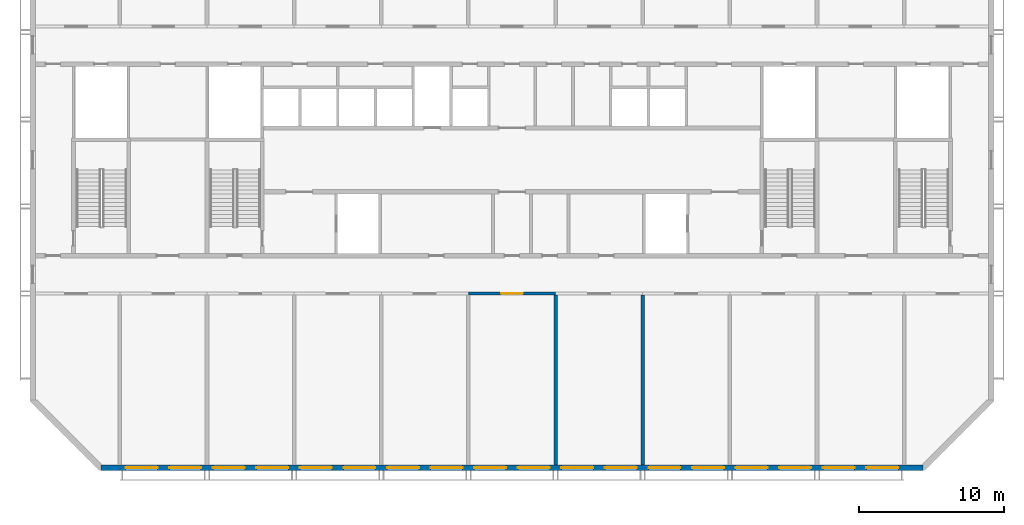
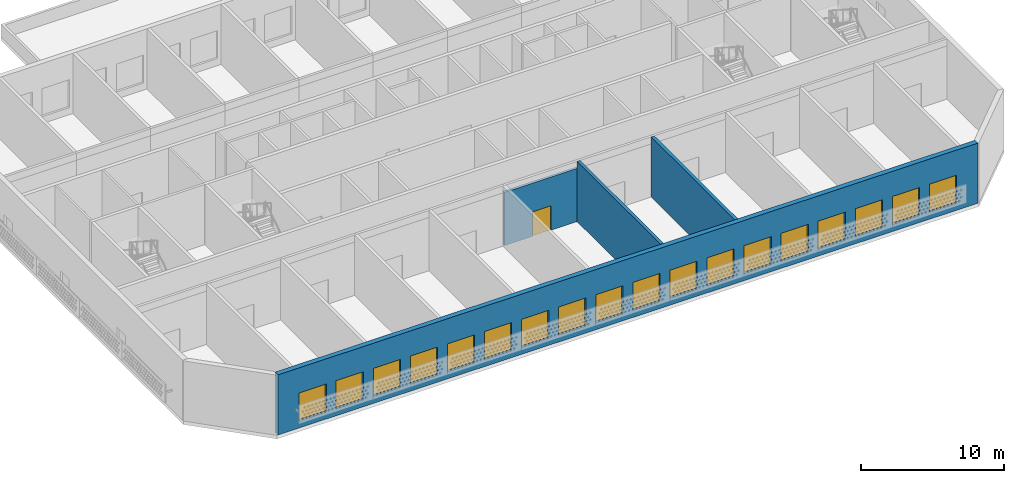
# One storey, part 3 of 18: 18 windows, 4 walls, 1 door, 19 openings.
"""IFC4 building model written with IfcOpenShell, lengths in metres."""

from ifc_helpers import new_model, si_unit, direction, frame, frame_2d, origin, place, context, subcontext, project, spatial, rectangle, extrude, material, layer, layer_set, type_object, element, fill, save


model = new_model("IFC4")

# Units and contexts
model_context = context("Model", 3, precision=1e-05, world=origin(), true_north=direction((0.0, 1.0)))
body_context = subcontext(model_context, "Body", "Model", "MODEL_VIEW")
ifc_project = project(units=[si_unit("LENGTHUNIT", "METRE"), si_unit("AREAUNIT", "SQUARE_METRE"), si_unit("VOLUMEUNIT", "CUBIC_METRE"), si_unit("PLANEANGLEUNIT", "RADIAN"), si_unit("MASSUNIT", "GRAM", prefix="KILO")], contexts=[model_context])

# Site, building, storey
site_placement = place(None, origin())
site = spatial("IfcSite", under=ifc_project, at=site_placement, CompositionType="ELEMENT")
building_placement = place(site_placement, origin())
building = spatial("IfcBuilding", under=site, at=building_placement, Name="Poui Terraces", CompositionType="ELEMENT")
storey_placement = place(building_placement, frame((0.0, 0.0, 267.0)))
storey = spatial("IfcBuildingStorey", under=building, at=storey_placement, Name="L74", CompositionType="ELEMENT", Elevation=267.0)

# Wall, opening, door
ifc_material_1 = material(Name="Concrete 50 MPa", Category="concrete")
ifc_layer_1 = layer(ifc_material_1, 0.199951171875)
ifc_layer_set_1 = layer_set([ifc_layer_1], Name="Concrete 50 MPa")
wall_type_1 = type_object("IfcWallType", Name="CORRIDOR WALL 200 50MPa", PredefinedType="SHEAR", material=ifc_layer_set_1)
wall_1_placement = place(storey_placement, frame((48.0, 12.0, 0.0), z_axis=(0.0, 0.0, 1.0), x_axis=(1.0, 0.0, 0.0)))
wall_1 = element("IfcWall", 1, at=wall_1_placement, inside=storey, type_object=wall_type_1, Name="CORRIDOR WALL LINE B BAY 6", PredefinedType="SHEAR", context=body_context, shape_type="SweptSolid", body=[
    extrude(rectangle(XDim=6.0, YDim=0.199951171875, at=frame_2d((3.0, 0.0))), origin(), (0.0, 0.0, 1.0), 4.550048828125),
])
opening_1_placement = place(wall_1_placement, frame((2.25, 0.0, 0.0)))
opening_1 = element("IfcOpeningElement", 2, at=opening_1_placement, cuts=wall_1, Name="Opening FDP", PredefinedType="OPENING", context=body_context, shape_type="SweptSolid", body=[
    extrude(rectangle(XDim=1.5, YDim=2.10009765625, at=frame_2d((0.75, 1.050048828125))), frame((0.0, 0.10986328125, 0.0), z_axis=(0.0, -1.0, 0.0), x_axis=(1.0, 0.0, 0.0)), (0.0, 0.0, 1.0), 0.219970703125),
])
ifc_material_2 = material(Name="Steel fire door", Category="steel")
door_type = type_object("IfcDoorType", Name="PLANT ROOM DOOR PAIR 1500 X 2100", OperationType="DOUBLE_DOOR_SINGLE_SWING", PredefinedType="DOOR", material=ifc_material_2)
door_placement = place(opening_1_placement, origin())
door = element("IfcDoor", 3, at=door_placement, inside=storey, type_object=door_type, Name="PLANT ROOM DOOR PAIR 038", OperationType="DOUBLE_DOOR_SINGLE_SWING", OverallHeight=2.10009765625, OverallWidth=1.5, PredefinedType="DOOR", context=body_context, shape_type="SweptSolid", body=[
    extrude(rectangle(XDim=1.5, YDim=2.10009765625, at=frame_2d((0.75, 1.050048828125))), frame((0.0, 0.02490234375, 0.0), z_axis=(0.0, -1.0, 0.0), x_axis=(1.0, 0.0, 0.0)), (0.0, 0.0, 1.0), 0.050048828125),
])
fill(opening_1, door)

# Walls
ifc_layer_2 = layer(ifc_material_1, 0.25)
ifc_layer_set_2 = layer_set([ifc_layer_2], Name="Concrete 50 MPa")
wall_type_2 = type_object("IfcWallType", Name="CROSS WALL 250 50MPa", PredefinedType="SHEAR", material=ifc_layer_set_2)
for number, where, z_axis, x_axis, name in (
    (4, (54.0, 0.199951171875, 0.0), (0.0, 0.0, 1.0), (0.0, 1.0, 0.0), "CROSS WALL LINE 10 SOUTH"),
    (5, (60.0, 0.199951171875, 0.0), (0.0, 0.0, 1.0), (0.0, 1.0, 0.0), "CROSS WALL LINE 11 SOUTH"),
):
    element("IfcWall", number, at=place(storey_placement, frame(where, z_axis=z_axis, x_axis=x_axis)), inside=storey, type_object=wall_type_2, Name=name, PredefinedType="SHEAR", context=body_context, shape_type="SweptSolid", body=[
        extrude(rectangle(XDim=11.699951171875, YDim=0.25, at=frame_2d((5.85009765625, 0.0))), origin(), (0.0, 0.0, 1.0), 5.14990234375),
    ])

# Wall, openings, windows
ifc_material_3 = material(Name="Precast concrete 40 MPa", Category="concrete")
ifc_layer_3 = layer(ifc_material_3, 0.39990234375)
ifc_layer_set_3 = layer_set([ifc_layer_3], Name="Precast concrete 40 MPa")
wall_type_3 = type_object("IfcWallType", Name="EXTERNAL WALL 400", PredefinedType="STANDARD", material=ifc_layer_set_3)
wall_2_placement = place(storey_placement, frame((22.682861328125, 0.0, 0.0), z_axis=(0.0, 0.0, 1.0), x_axis=(1.0, 0.0, 0.0)))
wall_2 = element("IfcWall", 6, at=wall_2_placement, inside=storey, type_object=wall_type_3, Name="EXTERNAL WALL S", PredefinedType="STANDARD", context=body_context, shape_type="SweptSolid", body=[
    extrude(rectangle(XDim=56.63427734375, YDim=0.39990234375, at=frame_2d((28.317138671875, 0.0))), origin(), (0.0, 0.0, 1.0), 5.14990234375),
])
opening_2_placement = place(wall_2_placement, frame((1.71728515625, 0.0, 0.60009765625)))
opening_2 = element("IfcOpeningElement", 7, at=opening_2_placement, cuts=wall_2, Name="Opening W5", PredefinedType="OPENING", context=body_context, shape_type="SweptSolid", body=[
    extrude(rectangle(XDim=2.199951171875, YDim=2.39990234375, at=frame_2d((1.10009765625, 1.199951171875))), frame((0.0, 0.2099609375, 0.0), z_axis=(0.0, -1.0, 0.0), x_axis=(1.0, 0.0, 0.0)), (0.0, 0.0, 1.0), 0.419921875),
])
opening_3_placement = place(wall_2_placement, frame((4.71728515625, 0.0, 0.60009765625)))
opening_3 = element("IfcOpeningElement", 8, at=opening_3_placement, cuts=wall_2, Name="Opening W5", PredefinedType="OPENING", context=body_context, shape_type="SweptSolid", body=[
    extrude(rectangle(XDim=2.199951171875, YDim=2.39990234375, at=frame_2d((1.10009765625, 1.199951171875))), frame((0.0, 0.2099609375, 0.0), z_axis=(0.0, -1.0, 0.0), x_axis=(1.0, 0.0, 0.0)), (0.0, 0.0, 1.0), 0.419921875),
])
opening_4_placement = place(wall_2_placement, frame((7.71728515625, 0.0, 0.60009765625)))
opening_4 = element("IfcOpeningElement", 9, at=opening_4_placement, cuts=wall_2, Name="Opening W5", PredefinedType="OPENING", context=body_context, shape_type="SweptSolid", body=[
    extrude(rectangle(XDim=2.199951171875, YDim=2.39990234375, at=frame_2d((1.10009765625, 1.199951171875))), frame((0.0, 0.2099609375, 0.0), z_axis=(0.0, -1.0, 0.0), x_axis=(1.0, 0.0, 0.0)), (0.0, 0.0, 1.0), 0.419921875),
])
opening_5_placement = place(wall_2_placement, frame((10.71728515625, 0.0, 0.60009765625)))
opening_5 = element("IfcOpeningElement", 10, at=opening_5_placement, cuts=wall_2, Name="Opening W5", PredefinedType="OPENING", context=body_context, shape_type="SweptSolid", body=[
    extrude(rectangle(XDim=2.199951171875, YDim=2.39990234375, at=frame_2d((1.10009765625, 1.199951171875))), frame((0.0, 0.2099609375, 0.0), z_axis=(0.0, -1.0, 0.0), x_axis=(1.0, 0.0, 0.0)), (0.0, 0.0, 1.0), 0.419921875),
])
opening_6_placement = place(wall_2_placement, frame((13.71728515625, 0.0, 0.60009765625)))
opening_6 = element("IfcOpeningElement", 11, at=opening_6_placement, cuts=wall_2, Name="Opening W5", PredefinedType="OPENING", context=body_context, shape_type="SweptSolid", body=[
    extrude(rectangle(XDim=2.199951171875, YDim=2.39990234375, at=frame_2d((1.10009765625, 1.199951171875))), frame((0.0, 0.2099609375, 0.0), z_axis=(0.0, -1.0, 0.0), x_axis=(1.0, 0.0, 0.0)), (0.0, 0.0, 1.0), 0.419921875),
])
opening_7_placement = place(wall_2_placement, frame((16.71728515625, 0.0, 0.60009765625)))
opening_7 = element("IfcOpeningElement", 12, at=opening_7_placement, cuts=wall_2, Name="Opening W5", PredefinedType="OPENING", context=body_context, shape_type="SweptSolid", body=[
    extrude(rectangle(XDim=2.199951171875, YDim=2.39990234375, at=frame_2d((1.10009765625, 1.199951171875))), frame((0.0, 0.2099609375, 0.0), z_axis=(0.0, -1.0, 0.0), x_axis=(1.0, 0.0, 0.0)), (0.0, 0.0, 1.0), 0.419921875),
])
opening_8_placement = place(wall_2_placement, frame((19.71728515625, 0.0, 0.60009765625)))
opening_8 = element("IfcOpeningElement", 13, at=opening_8_placement, cuts=wall_2, Name="Opening W5", PredefinedType="OPENING", context=body_context, shape_type="SweptSolid", body=[
    extrude(rectangle(XDim=2.199951171875, YDim=2.39990234375, at=frame_2d((1.10009765625, 1.199951171875))), frame((0.0, 0.2099609375, 0.0), z_axis=(0.0, -1.0, 0.0), x_axis=(1.0, 0.0, 0.0)), (0.0, 0.0, 1.0), 0.419921875),
])
opening_9_placement = place(wall_2_placement, frame((22.71728515625, 0.0, 0.60009765625)))
opening_9 = element("IfcOpeningElement", 14, at=opening_9_placement, cuts=wall_2, Name="Opening W5", PredefinedType="OPENING", context=body_context, shape_type="SweptSolid", body=[
    extrude(rectangle(XDim=2.199951171875, YDim=2.39990234375, at=frame_2d((1.10009765625, 1.199951171875))), frame((0.0, 0.2099609375, 0.0), z_axis=(0.0, -1.0, 0.0), x_axis=(1.0, 0.0, 0.0)), (0.0, 0.0, 1.0), 0.419921875),
])
opening_10_placement = place(wall_2_placement, frame((25.71728515625, 0.0, 0.60009765625)))
opening_10 = element("IfcOpeningElement", 15, at=opening_10_placement, cuts=wall_2, Name="Opening W5", PredefinedType="OPENING", context=body_context, shape_type="SweptSolid", body=[
    extrude(rectangle(XDim=2.199951171875, YDim=2.39990234375, at=frame_2d((1.10009765625, 1.199951171875))), frame((0.0, 0.2099609375, 0.0), z_axis=(0.0, -1.0, 0.0), x_axis=(1.0, 0.0, 0.0)), (0.0, 0.0, 1.0), 0.419921875),
])
opening_11_placement = place(wall_2_placement, frame((28.71728515625, 0.0, 0.60009765625)))
opening_11 = element("IfcOpeningElement", 16, at=opening_11_placement, cuts=wall_2, Name="Opening W5", PredefinedType="OPENING", context=body_context, shape_type="SweptSolid", body=[
    extrude(rectangle(XDim=2.199951171875, YDim=2.39990234375, at=frame_2d((1.10009765625, 1.199951171875))), frame((0.0, 0.2099609375, 0.0), z_axis=(0.0, -1.0, 0.0), x_axis=(1.0, 0.0, 0.0)), (0.0, 0.0, 1.0), 0.419921875),
])
opening_12_placement = place(wall_2_placement, frame((31.71728515625, 0.0, 0.60009765625)))
opening_12 = element("IfcOpeningElement", 17, at=opening_12_placement, cuts=wall_2, Name="Opening W5", PredefinedType="OPENING", context=body_context, shape_type="SweptSolid", body=[
    extrude(rectangle(XDim=2.199951171875, YDim=2.39990234375, at=frame_2d((1.10009765625, 1.199951171875))), frame((0.0, 0.2099609375, 0.0), z_axis=(0.0, -1.0, 0.0), x_axis=(1.0, 0.0, 0.0)), (0.0, 0.0, 1.0), 0.419921875),
])
opening_13_placement = place(wall_2_placement, frame((34.71728515625, 0.0, 0.60009765625)))
opening_13 = element("IfcOpeningElement", 18, at=opening_13_placement, cuts=wall_2, Name="Opening W5", PredefinedType="OPENING", context=body_context, shape_type="SweptSolid", body=[
    extrude(rectangle(XDim=2.199951171875, YDim=2.39990234375, at=frame_2d((1.10009765625, 1.199951171875))), frame((0.0, 0.2099609375, 0.0), z_axis=(0.0, -1.0, 0.0), x_axis=(1.0, 0.0, 0.0)), (0.0, 0.0, 1.0), 0.419921875),
])
opening_14_placement = place(wall_2_placement, frame((37.71728515625, 0.0, 0.60009765625)))
opening_14 = element("IfcOpeningElement", 19, at=opening_14_placement, cuts=wall_2, Name="Opening W5", PredefinedType="OPENING", context=body_context, shape_type="SweptSolid", body=[
    extrude(rectangle(XDim=2.199951171875, YDim=2.39990234375, at=frame_2d((1.10009765625, 1.199951171875))), frame((0.0, 0.2099609375, 0.0), z_axis=(0.0, -1.0, 0.0), x_axis=(1.0, 0.0, 0.0)), (0.0, 0.0, 1.0), 0.419921875),
])
opening_15_placement = place(wall_2_placement, frame((40.71728515625, 0.0, 0.60009765625)))
opening_15 = element("IfcOpeningElement", 20, at=opening_15_placement, cuts=wall_2, Name="Opening W5", PredefinedType="OPENING", context=body_context, shape_type="SweptSolid", body=[
    extrude(rectangle(XDim=2.199951171875, YDim=2.39990234375, at=frame_2d((1.10009765625, 1.199951171875))), frame((0.0, 0.2099609375, 0.0), z_axis=(0.0, -1.0, 0.0), x_axis=(1.0, 0.0, 0.0)), (0.0, 0.0, 1.0), 0.419921875),
])
opening_16_placement = place(wall_2_placement, frame((43.71728515625, 0.0, 0.60009765625)))
opening_16 = element("IfcOpeningElement", 21, at=opening_16_placement, cuts=wall_2, Name="Opening W5", PredefinedType="OPENING", context=body_context, shape_type="SweptSolid", body=[
    extrude(rectangle(XDim=2.199951171875, YDim=2.39990234375, at=frame_2d((1.10009765625, 1.199951171875))), frame((0.0, 0.2099609375, 0.0), z_axis=(0.0, -1.0, 0.0), x_axis=(1.0, 0.0, 0.0)), (0.0, 0.0, 1.0), 0.419921875),
])
opening_17_placement = place(wall_2_placement, frame((46.71728515625, 0.0, 0.60009765625)))
opening_17 = element("IfcOpeningElement", 22, at=opening_17_placement, cuts=wall_2, Name="Opening W5", PredefinedType="OPENING", context=body_context, shape_type="SweptSolid", body=[
    extrude(rectangle(XDim=2.199951171875, YDim=2.39990234375, at=frame_2d((1.10009765625, 1.199951171875))), frame((0.0, 0.2099609375, 0.0), z_axis=(0.0, -1.0, 0.0), x_axis=(1.0, 0.0, 0.0)), (0.0, 0.0, 1.0), 0.419921875),
])
opening_18_placement = place(wall_2_placement, frame((49.71728515625, 0.0, 0.60009765625)))
opening_18 = element("IfcOpeningElement", 23, at=opening_18_placement, cuts=wall_2, Name="Opening W5", PredefinedType="OPENING", context=body_context, shape_type="SweptSolid", body=[
    extrude(rectangle(XDim=2.199951171875, YDim=2.39990234375, at=frame_2d((1.10009765625, 1.199951171875))), frame((0.0, 0.2099609375, 0.0), z_axis=(0.0, -1.0, 0.0), x_axis=(1.0, 0.0, 0.0)), (0.0, 0.0, 1.0), 0.419921875),
])
opening_19_placement = place(wall_2_placement, frame((52.71728515625, 0.0, 0.60009765625)))
opening_19 = element("IfcOpeningElement", 24, at=opening_19_placement, cuts=wall_2, Name="Opening W5", PredefinedType="OPENING", context=body_context, shape_type="SweptSolid", body=[
    extrude(rectangle(XDim=2.199951171875, YDim=2.39990234375, at=frame_2d((1.10009765625, 1.199951171875))), frame((0.0, 0.2099609375, 0.0), z_axis=(0.0, -1.0, 0.0), x_axis=(1.0, 0.0, 0.0)), (0.0, 0.0, 1.0), 0.419921875),
])
ifc_material_4 = material(Name="Clear glass in aluminium frame", Category="aluminium")
window_type = type_object("IfcWindowType", Name="WINDOW 2200X2400", PartitioningType="TRIPLE_PANEL_HORIZONTAL", PredefinedType="WINDOW", material=ifc_material_4)
window_1_placement = place(opening_2_placement, origin())
window_1 = element("IfcWindow", 25, at=window_1_placement, inside=storey, type_object=window_type, Name="W5 WINDOW", OverallHeight=2.39990234375, OverallWidth=2.199951171875, PartitioningType="TRIPLE_PANEL_HORIZONTAL", PredefinedType="WINDOW", context=body_context, shape_type="SweptSolid", body=[
    extrude(rectangle(XDim=2.199951171875, YDim=2.39990234375, at=frame_2d((1.10009765625, 1.199951171875))), frame((0.0, 0.030029296875, 0.0), z_axis=(0.0, -1.0, 0.0), x_axis=(1.0, 0.0, 0.0)), (0.0, 0.0, 1.0), 0.06005859375),
])
fill(opening_2, window_1)
window_2_placement = place(opening_3_placement, origin())
window_2 = element("IfcWindow", 26, at=window_2_placement, inside=storey, type_object=window_type, Name="W5 WINDOW", OverallHeight=2.39990234375, OverallWidth=2.199951171875, PartitioningType="TRIPLE_PANEL_HORIZONTAL", PredefinedType="WINDOW", context=body_context, shape_type="SweptSolid", body=[
    extrude(rectangle(XDim=2.199951171875, YDim=2.39990234375, at=frame_2d((1.10009765625, 1.199951171875))), frame((0.0, 0.030029296875, 0.0), z_axis=(0.0, -1.0, 0.0), x_axis=(1.0, 0.0, 0.0)), (0.0, 0.0, 1.0), 0.06005859375),
])
fill(opening_3, window_2)
window_3_placement = place(opening_4_placement, origin())
window_3 = element("IfcWindow", 27, at=window_3_placement, inside=storey, type_object=window_type, Name="W5 WINDOW", OverallHeight=2.39990234375, OverallWidth=2.199951171875, PartitioningType="TRIPLE_PANEL_HORIZONTAL", PredefinedType="WINDOW", context=body_context, shape_type="SweptSolid", body=[
    extrude(rectangle(XDim=2.199951171875, YDim=2.39990234375, at=frame_2d((1.10009765625, 1.199951171875))), frame((0.0, 0.030029296875, 0.0), z_axis=(0.0, -1.0, 0.0), x_axis=(1.0, 0.0, 0.0)), (0.0, 0.0, 1.0), 0.06005859375),
])
fill(opening_4, window_3)
window_4_placement = place(opening_5_placement, origin())
window_4 = element("IfcWindow", 28, at=window_4_placement, inside=storey, type_object=window_type, Name="W5 WINDOW", OverallHeight=2.39990234375, OverallWidth=2.199951171875, PartitioningType="TRIPLE_PANEL_HORIZONTAL", PredefinedType="WINDOW", context=body_context, shape_type="SweptSolid", body=[
    extrude(rectangle(XDim=2.199951171875, YDim=2.39990234375, at=frame_2d((1.10009765625, 1.199951171875))), frame((0.0, 0.030029296875, 0.0), z_axis=(0.0, -1.0, 0.0), x_axis=(1.0, 0.0, 0.0)), (0.0, 0.0, 1.0), 0.06005859375),
])
fill(opening_5, window_4)
window_5_placement = place(opening_6_placement, origin())
window_5 = element("IfcWindow", 29, at=window_5_placement, inside=storey, type_object=window_type, Name="W5 WINDOW", OverallHeight=2.39990234375, OverallWidth=2.199951171875, PartitioningType="TRIPLE_PANEL_HORIZONTAL", PredefinedType="WINDOW", context=body_context, shape_type="SweptSolid", body=[
    extrude(rectangle(XDim=2.199951171875, YDim=2.39990234375, at=frame_2d((1.10009765625, 1.199951171875))), frame((0.0, 0.030029296875, 0.0), z_axis=(0.0, -1.0, 0.0), x_axis=(1.0, 0.0, 0.0)), (0.0, 0.0, 1.0), 0.06005859375),
])
fill(opening_6, window_5)
window_6_placement = place(opening_7_placement, origin())
window_6 = element("IfcWindow", 30, at=window_6_placement, inside=storey, type_object=window_type, Name="W5 WINDOW", OverallHeight=2.39990234375, OverallWidth=2.199951171875, PartitioningType="TRIPLE_PANEL_HORIZONTAL", PredefinedType="WINDOW", context=body_context, shape_type="SweptSolid", body=[
    extrude(rectangle(XDim=2.199951171875, YDim=2.39990234375, at=frame_2d((1.10009765625, 1.199951171875))), frame((0.0, 0.030029296875, 0.0), z_axis=(0.0, -1.0, 0.0), x_axis=(1.0, 0.0, 0.0)), (0.0, 0.0, 1.0), 0.06005859375),
])
fill(opening_7, window_6)
window_7_placement = place(opening_8_placement, origin())
window_7 = element("IfcWindow", 31, at=window_7_placement, inside=storey, type_object=window_type, Name="W5 WINDOW", OverallHeight=2.39990234375, OverallWidth=2.199951171875, PartitioningType="TRIPLE_PANEL_HORIZONTAL", PredefinedType="WINDOW", context=body_context, shape_type="SweptSolid", body=[
    extrude(rectangle(XDim=2.199951171875, YDim=2.39990234375, at=frame_2d((1.10009765625, 1.199951171875))), frame((0.0, 0.030029296875, 0.0), z_axis=(0.0, -1.0, 0.0), x_axis=(1.0, 0.0, 0.0)), (0.0, 0.0, 1.0), 0.06005859375),
])
fill(opening_8, window_7)
window_8_placement = place(opening_9_placement, origin())
window_8 = element("IfcWindow", 32, at=window_8_placement, inside=storey, type_object=window_type, Name="W5 WINDOW", OverallHeight=2.39990234375, OverallWidth=2.199951171875, PartitioningType="TRIPLE_PANEL_HORIZONTAL", PredefinedType="WINDOW", context=body_context, shape_type="SweptSolid", body=[
    extrude(rectangle(XDim=2.199951171875, YDim=2.39990234375, at=frame_2d((1.10009765625, 1.199951171875))), frame((0.0, 0.030029296875, 0.0), z_axis=(0.0, -1.0, 0.0), x_axis=(1.0, 0.0, 0.0)), (0.0, 0.0, 1.0), 0.06005859375),
])
fill(opening_9, window_8)
window_9_placement = place(opening_10_placement, origin())
window_9 = element("IfcWindow", 33, at=window_9_placement, inside=storey, type_object=window_type, Name="W5 WINDOW", OverallHeight=2.39990234375, OverallWidth=2.199951171875, PartitioningType="TRIPLE_PANEL_HORIZONTAL", PredefinedType="WINDOW", context=body_context, shape_type="SweptSolid", body=[
    extrude(rectangle(XDim=2.199951171875, YDim=2.39990234375, at=frame_2d((1.10009765625, 1.199951171875))), frame((0.0, 0.030029296875, 0.0), z_axis=(0.0, -1.0, 0.0), x_axis=(1.0, 0.0, 0.0)), (0.0, 0.0, 1.0), 0.06005859375),
])
fill(opening_10, window_9)
window_10_placement = place(opening_11_placement, origin())
window_10 = element("IfcWindow", 34, at=window_10_placement, inside=storey, type_object=window_type, Name="W5 WINDOW", OverallHeight=2.39990234375, OverallWidth=2.199951171875, PartitioningType="TRIPLE_PANEL_HORIZONTAL", PredefinedType="WINDOW", context=body_context, shape_type="SweptSolid", body=[
    extrude(rectangle(XDim=2.199951171875, YDim=2.39990234375, at=frame_2d((1.10009765625, 1.199951171875))), frame((0.0, 0.030029296875, 0.0), z_axis=(0.0, -1.0, 0.0), x_axis=(1.0, 0.0, 0.0)), (0.0, 0.0, 1.0), 0.06005859375),
])
fill(opening_11, window_10)
window_11_placement = place(opening_12_placement, origin())
window_11 = element("IfcWindow", 35, at=window_11_placement, inside=storey, type_object=window_type, Name="W5 WINDOW", OverallHeight=2.39990234375, OverallWidth=2.199951171875, PartitioningType="TRIPLE_PANEL_HORIZONTAL", PredefinedType="WINDOW", context=body_context, shape_type="SweptSolid", body=[
    extrude(rectangle(XDim=2.199951171875, YDim=2.39990234375, at=frame_2d((1.10009765625, 1.199951171875))), frame((0.0, 0.030029296875, 0.0), z_axis=(0.0, -1.0, 0.0), x_axis=(1.0, 0.0, 0.0)), (0.0, 0.0, 1.0), 0.06005859375),
])
fill(opening_12, window_11)
window_12_placement = place(opening_13_placement, origin())
window_12 = element("IfcWindow", 36, at=window_12_placement, inside=storey, type_object=window_type, Name="W5 WINDOW", OverallHeight=2.39990234375, OverallWidth=2.199951171875, PartitioningType="TRIPLE_PANEL_HORIZONTAL", PredefinedType="WINDOW", context=body_context, shape_type="SweptSolid", body=[
    extrude(rectangle(XDim=2.199951171875, YDim=2.39990234375, at=frame_2d((1.10009765625, 1.199951171875))), frame((0.0, 0.030029296875, 0.0), z_axis=(0.0, -1.0, 0.0), x_axis=(1.0, 0.0, 0.0)), (0.0, 0.0, 1.0), 0.06005859375),
])
fill(opening_13, window_12)
window_13_placement = place(opening_14_placement, origin())
window_13 = element("IfcWindow", 37, at=window_13_placement, inside=storey, type_object=window_type, Name="W5 WINDOW", OverallHeight=2.39990234375, OverallWidth=2.199951171875, PartitioningType="TRIPLE_PANEL_HORIZONTAL", PredefinedType="WINDOW", context=body_context, shape_type="SweptSolid", body=[
    extrude(rectangle(XDim=2.199951171875, YDim=2.39990234375, at=frame_2d((1.10009765625, 1.199951171875))), frame((0.0, 0.030029296875, 0.0), z_axis=(0.0, -1.0, 0.0), x_axis=(1.0, 0.0, 0.0)), (0.0, 0.0, 1.0), 0.06005859375),
])
fill(opening_14, window_13)
window_14_placement = place(opening_15_placement, origin())
window_14 = element("IfcWindow", 38, at=window_14_placement, inside=storey, type_object=window_type, Name="W5 WINDOW", OverallHeight=2.39990234375, OverallWidth=2.199951171875, PartitioningType="TRIPLE_PANEL_HORIZONTAL", PredefinedType="WINDOW", context=body_context, shape_type="SweptSolid", body=[
    extrude(rectangle(XDim=2.199951171875, YDim=2.39990234375, at=frame_2d((1.10009765625, 1.199951171875))), frame((0.0, 0.030029296875, 0.0), z_axis=(0.0, -1.0, 0.0), x_axis=(1.0, 0.0, 0.0)), (0.0, 0.0, 1.0), 0.06005859375),
])
fill(opening_15, window_14)
window_15_placement = place(opening_16_placement, origin())
window_15 = element("IfcWindow", 39, at=window_15_placement, inside=storey, type_object=window_type, Name="W5 WINDOW", OverallHeight=2.39990234375, OverallWidth=2.199951171875, PartitioningType="TRIPLE_PANEL_HORIZONTAL", PredefinedType="WINDOW", context=body_context, shape_type="SweptSolid", body=[
    extrude(rectangle(XDim=2.199951171875, YDim=2.39990234375, at=frame_2d((1.10009765625, 1.199951171875))), frame((0.0, 0.030029296875, 0.0), z_axis=(0.0, -1.0, 0.0), x_axis=(1.0, 0.0, 0.0)), (0.0, 0.0, 1.0), 0.06005859375),
])
fill(opening_16, window_15)
window_16_placement = place(opening_17_placement, origin())
window_16 = element("IfcWindow", 40, at=window_16_placement, inside=storey, type_object=window_type, Name="W5 WINDOW", OverallHeight=2.39990234375, OverallWidth=2.199951171875, PartitioningType="TRIPLE_PANEL_HORIZONTAL", PredefinedType="WINDOW", context=body_context, shape_type="SweptSolid", body=[
    extrude(rectangle(XDim=2.199951171875, YDim=2.39990234375, at=frame_2d((1.10009765625, 1.199951171875))), frame((0.0, 0.030029296875, 0.0), z_axis=(0.0, -1.0, 0.0), x_axis=(1.0, 0.0, 0.0)), (0.0, 0.0, 1.0), 0.06005859375),
])
fill(opening_17, window_16)
window_17_placement = place(opening_18_placement, origin())
window_17 = element("IfcWindow", 41, at=window_17_placement, inside=storey, type_object=window_type, Name="W5 WINDOW", OverallHeight=2.39990234375, OverallWidth=2.199951171875, PartitioningType="TRIPLE_PANEL_HORIZONTAL", PredefinedType="WINDOW", context=body_context, shape_type="SweptSolid", body=[
    extrude(rectangle(XDim=2.199951171875, YDim=2.39990234375, at=frame_2d((1.10009765625, 1.199951171875))), frame((0.0, 0.030029296875, 0.0), z_axis=(0.0, -1.0, 0.0), x_axis=(1.0, 0.0, 0.0)), (0.0, 0.0, 1.0), 0.06005859375),
])
fill(opening_18, window_17)
window_18_placement = place(opening_19_placement, origin())
window_18 = element("IfcWindow", 42, at=window_18_placement, inside=storey, type_object=window_type, Name="W5 WINDOW", OverallHeight=2.39990234375, OverallWidth=2.199951171875, PartitioningType="TRIPLE_PANEL_HORIZONTAL", PredefinedType="WINDOW", context=body_context, shape_type="SweptSolid", body=[
    extrude(rectangle(XDim=2.199951171875, YDim=2.39990234375, at=frame_2d((1.10009765625, 1.199951171875))), frame((0.0, 0.030029296875, 0.0), z_axis=(0.0, -1.0, 0.0), x_axis=(1.0, 0.0, 0.0)), (0.0, 0.0, 1.0), 0.06005859375),
])
fill(opening_19, window_18)

save(model, "model.ifc")
